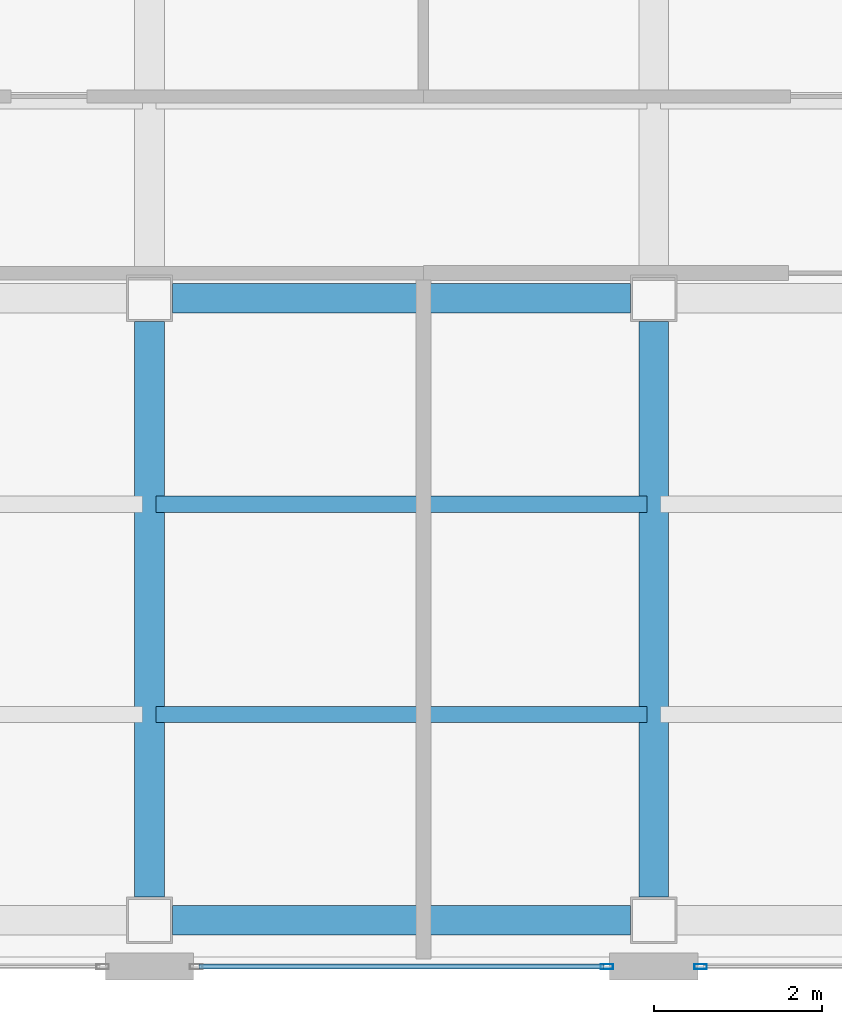
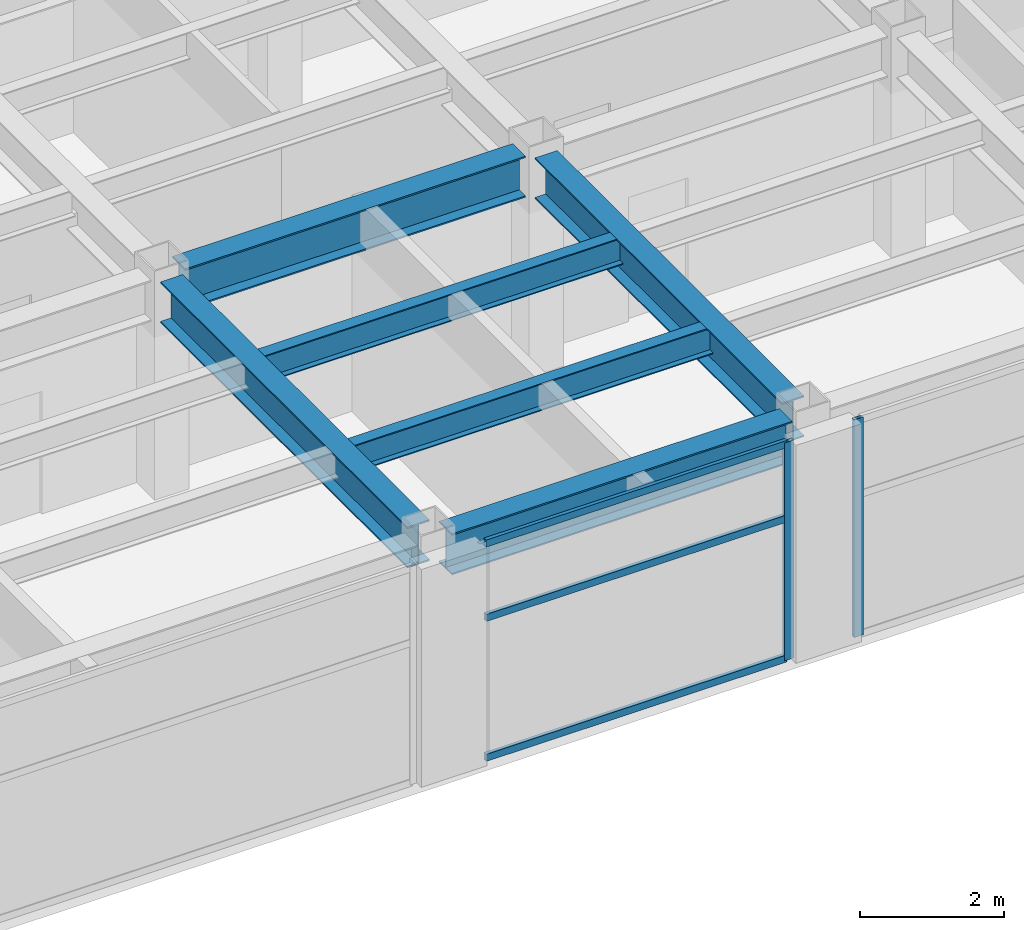
# One storey, part 5 of 16: 6 beams, 5 members, 2 elements without a shape of their own.
"""IFC4 building model written with IfcOpenShell, lengths in metres."""

from ifc_helpers import new_model, si_unit, direction, frame, origin, origin_2d, place, context, subcontext, project, spatial, hollow_rectangle, i_section, extrude, material, layer, layer_set, material_profile, profile_set, type_object, element, aggregate, save


model = new_model("IFC4")

# Units and contexts
model_context = context("Model", 3, precision=1e-05, world=origin(), true_north=direction((0.0, 1.0)))
body_context = subcontext(model_context, "Body", "Model", "MODEL_VIEW")
ifc_project = project(units=[si_unit("LENGTHUNIT", "METRE"), si_unit("AREAUNIT", "SQUARE_METRE"), si_unit("VOLUMEUNIT", "CUBIC_METRE"), si_unit("PLANEANGLEUNIT", "RADIAN"), si_unit("MASSUNIT", "GRAM", prefix="KILO")], contexts=[model_context])

# Site, building, storey
site_placement = place(None, origin())
site = spatial("IfcSite", under=ifc_project, at=site_placement, CompositionType="ELEMENT")
building_placement = place(site_placement, origin())
building = spatial("IfcBuilding", under=site, at=building_placement, Name="Mawjaban Terraces University", CompositionType="ELEMENT")
storey_placement = place(building_placement, frame((0.0, 0.0, 54.39990234375)))
storey = spatial("IfcBuildingStorey", under=building, at=storey_placement, Name="L12", CompositionType="ELEMENT", Elevation=54.39990234375)

# Beams
ifc_material_1 = material(Name="Steel ASTM A572 Grade 50", Category="steel")
ifc_material_profile_1 = material_profile(ifc_material_1, i_section(OverallWidth=0.35498046875, OverallDepth=0.695068359375, WebThickness=0.015380859375, FlangeThickness=0.02490234375, at=origin_2d()), Name="W690X217")
ifc_profile_set_1 = profile_set([ifc_material_profile_1], Name="Steel ASTM A572 Grade 50")
beam_type_1 = type_object("IfcBeamType", Name="Beam_B_W690X217", PredefinedType="BEAM", material=ifc_profile_set_1)
for number, where, z_axis, x_axis, name in (
    (1, (46.27490234375, 0.550048828125, 3.343017578125), (1.0, 0.0, 0.0), (0.0, 1.0, 0.0), "L12 Beam BM-L12-EW-02"),
    (2, (46.27490234375, 7.949951171875, 3.343017578125), (1.0, 0.0, 0.0), (0.0, 1.0, 0.0), "L12 Beam BM-L12-EW-07"),
):
    element("IfcBeam", number, at=place(storey_placement, frame(where, z_axis=z_axis, x_axis=x_axis)), inside=storey, type_object=beam_type_1, Name=name, PredefinedType="BEAM", context=body_context, shape_type="SweptSolid", body=[
        extrude(i_section(OverallWidth=0.35498046875, OverallDepth=0.695068359375, WebThickness=0.015380859375, FlangeThickness=0.02490234375, at=origin_2d()), origin(), (0.0, 0.0, 1.0), 5.4501953125),
    ])
for number, where, z_axis, x_axis, name in (
    (3, (46.0, 0.824951171875, 3.343017578125), (0.0, 1.0, 0.0), (-1.0, 0.0, 0.0), "L12 Beam BM-L12-NS-14"),
    (4, (52.0, 0.824951171875, 3.343017578125), (0.0, 1.0, 0.0), (-1.0, 0.0, 0.0), "L12 Beam BM-L12-NS-16"),
):
    element("IfcBeam", number, at=place(storey_placement, frame(where, z_axis=z_axis, x_axis=x_axis)), inside=storey, type_object=beam_type_1, Name=name, PredefinedType="BEAM", context=body_context, shape_type="SweptSolid", body=[
        extrude(i_section(OverallWidth=0.35498046875, OverallDepth=0.695068359375, WebThickness=0.015380859375, FlangeThickness=0.02490234375, at=origin_2d()), origin(), (0.0, 0.0, 1.0), 6.85009765625),
    ])
ifc_material_profile_2 = material_profile(ifc_material_1, i_section(OverallWidth=0.19189453125, OverallDepth=0.462890625, WebThickness=0.010498046875, FlangeThickness=0.017578125, at=origin_2d()), Name="W460X89")
ifc_profile_set_2 = profile_set([ifc_material_profile_2], Name="Steel ASTM A572 Grade 50")
beam_type_2 = type_object("IfcBeamType", Name="Beam_J_W460X89", PredefinedType="JOIST", material=ifc_profile_set_2)
for number, where, z_axis, x_axis, name in (
    (5, (46.080078125, 3.0, 3.458984375), (1.0, 0.0, 0.0), (0.0, 1.0, 0.0), "L12 Composite Joist JST-L12-02"),
    (6, (46.080078125, 5.5, 3.458984375), (1.0, 0.0, 0.0), (0.0, 1.0, 0.0), "L12 Composite Joist JST-L12-07"),
):
    element("IfcBeam", number, at=place(storey_placement, frame(where, z_axis=z_axis, x_axis=x_axis)), inside=storey, type_object=beam_type_2, Name=name, PredefinedType="JOIST", context=body_context, shape_type="SweptSolid", body=[
        extrude(i_section(OverallWidth=0.19189453125, OverallDepth=0.462890625, WebThickness=0.010498046875, FlangeThickness=0.017578125, at=origin_2d()), origin(), (0.0, 0.0, 1.0), 5.83984375),
    ])

# Curtain wall, member
ifc_material_2 = material(Name="Anodised aluminium 6063-T6 and solar-control low-E glass", Category="aluminium")
ifc_layer = layer(ifc_material_2, 0.1650390625)
ifc_layer_set = layer_set([ifc_layer], Name="Anodised aluminium 6063-T6 and solar-control low-E glass")
curtain_wall_type = type_object("IfcCurtainWallType", Name="CWSystem_04_EastWing", PredefinedType="NOTDEFINED", material=ifc_layer_set)
curtain_wall_1_placement = place(storey_placement, origin())
curtain_wall_1 = element("IfcCurtainWall", 7, at=curtain_wall_1_placement, inside=storey, type_object=curtain_wall_type, Name="L12 Curtain Wall CW-04 Run 1.3", PredefinedType="NOTDEFINED")
ifc_material_3 = material(Name="Anodised aluminium 6063-T6", Category="aluminium")
ifc_material_profile_3 = material_profile(ifc_material_3, hollow_rectangle(XDim=0.06005859375, YDim=0.14990234375, WallThickness=0.00390625, at=origin_2d()), Name="ALU150X60X4")
ifc_profile_set_3 = profile_set([ifc_material_profile_3], Name="Anodised aluminium 6063-T6")
member_type_1 = type_object("IfcMemberType", Name="Mullion_CW-04", PredefinedType="MULLION", material=ifc_profile_set_3)
member_1_placement = place(storey_placement, frame((51.4423828125, 0.0, 0.0), z_axis=(0.0, 0.0, 1.0), x_axis=(0.0, 1.0, 0.0)))
member_1 = element("IfcMember", 8, at=member_1_placement, type_object=member_type_1, Name="CW-04 mullion 2", PredefinedType="MULLION", context=body_context, shape_type="SweptSolid", body=[
    extrude(hollow_rectangle(XDim=0.06005859375, YDim=0.14990234375, WallThickness=0.00390625, at=origin_2d()), origin(), (0.0, 0.0, 1.0), 3.690185546875),
])

curtain_wall_2_placement = place(storey_placement, origin())
curtain_wall_2 = element("IfcCurtainWall", 9, at=curtain_wall_2_placement, inside=storey, type_object=curtain_wall_type, Name="L12 Curtain Wall CW-04 Run 1.4", PredefinedType="NOTDEFINED")
member_2_placement = place(storey_placement, frame((52.5576171875, 0.0, 0.0), z_axis=(0.0, 0.0, 1.0), x_axis=(0.0, 1.0, 0.0)))
member_2 = element("IfcMember", 10, at=member_2_placement, type_object=member_type_1, Name="CW-04 mullion 1", PredefinedType="MULLION", context=body_context, shape_type="SweptSolid", body=[
    extrude(hollow_rectangle(XDim=0.06005859375, YDim=0.14990234375, WallThickness=0.00390625, at=origin_2d()), origin(), (0.0, 0.0, 1.0), 3.690185546875),
])
aggregate(curtain_wall_2, [member_2])

# Member
ifc_material_profile_4 = material_profile(ifc_material_3, hollow_rectangle(XDim=0.06005859375, YDim=0.1201171875, WallThickness=0.00341796875, at=origin_2d()), Name="ALU120X60X3.5")
ifc_profile_set_4 = profile_set([ifc_material_profile_4], Name="Anodised aluminium 6063-T6")
member_type_2 = type_object("IfcMemberType", Name="Transom_CW-04", PredefinedType="NOTDEFINED", material=ifc_profile_set_4)
member_3_placement = place(storey_placement, frame((46.590087890625, 0.0, 0.030029296875), z_axis=(1.0, 0.0, 0.0), x_axis=(0.0, 1.0, 0.0)))
member_3 = element("IfcMember", 11, at=member_3_placement, type_object=member_type_2, Name="CW-04 transom 1.1", ObjectType="TRANSOM", PredefinedType="USERDEFINED", context=body_context, shape_type="SweptSolid", body=[
    extrude(hollow_rectangle(XDim=0.06005859375, YDim=0.1201171875, WallThickness=0.00341796875, at=origin_2d()), origin(), (0.0, 0.0, 1.0), 4.81982421875),
])

member_4_placement = place(storey_placement, frame((46.590087890625, 0.0, 2.399169921875), z_axis=(1.0, 0.0, 0.0), x_axis=(0.0, 1.0, 0.0)))
member_4 = element("IfcMember", 12, at=member_4_placement, type_object=member_type_2, Name="CW-04 transom 1.2", ObjectType="TRANSOM", PredefinedType="USERDEFINED", context=body_context, shape_type="SweptSolid", body=[
    extrude(hollow_rectangle(XDim=0.06005859375, YDim=0.1201171875, WallThickness=0.00341796875, at=origin_2d()), origin(), (0.0, 0.0, 1.0), 4.81982421875),
])

member_5_placement = place(storey_placement, frame((46.590087890625, 0.0, 3.66015625), z_axis=(1.0, 0.0, 0.0), x_axis=(0.0, 1.0, 0.0)))
member_5 = element("IfcMember", 13, at=member_5_placement, type_object=member_type_2, Name="CW-04 transom 1.3", ObjectType="TRANSOM", PredefinedType="USERDEFINED", context=body_context, shape_type="SweptSolid", body=[
    extrude(hollow_rectangle(XDim=0.06005859375, YDim=0.1201171875, WallThickness=0.00341796875, at=origin_2d()), origin(), (0.0, 0.0, 1.0), 4.81982421875),
])

aggregate(curtain_wall_1, [member_1, member_3, member_4, member_5])

save(model, "model.ifc")
